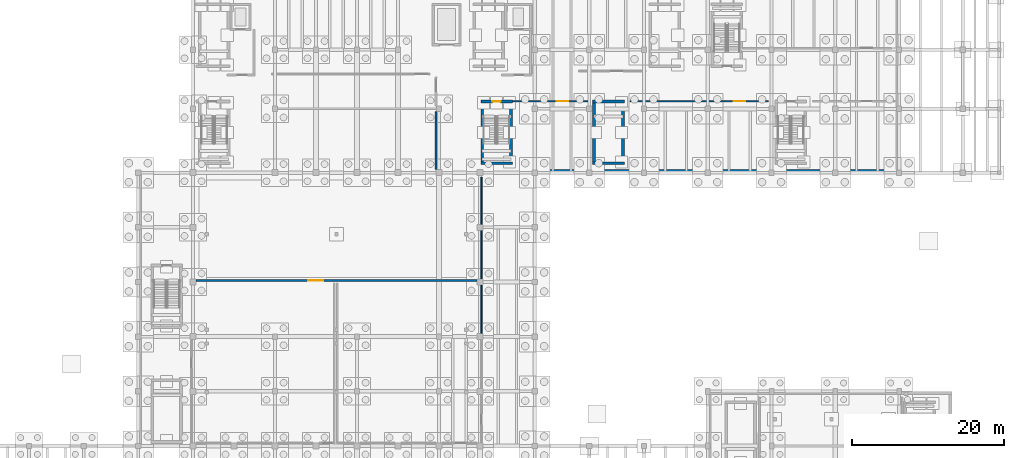
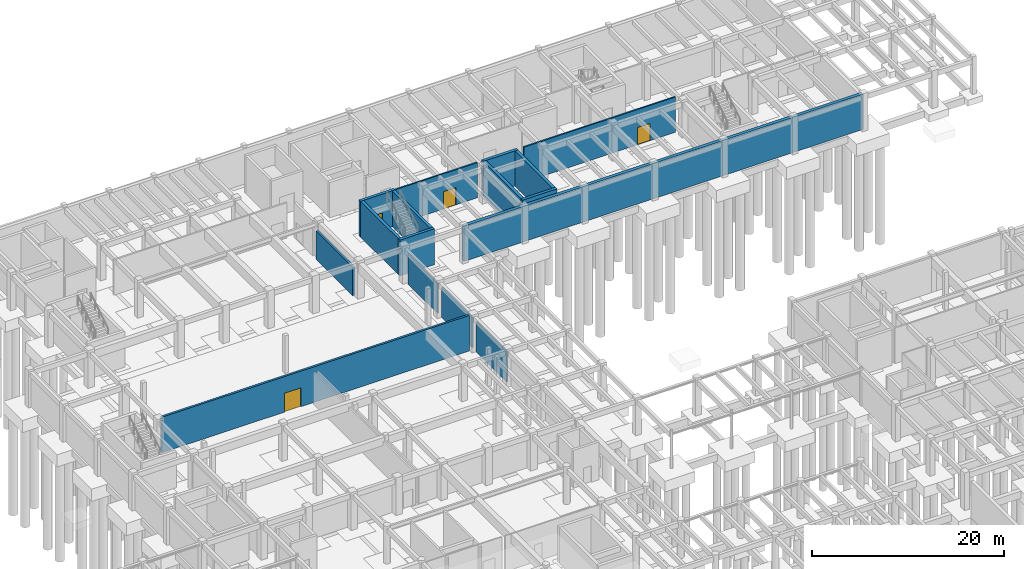
# One storey, part 29 of 46: 16 walls, 4 doors, 4 openings.
"""IFC4 building model written with IfcOpenShell, lengths in metres."""

from ifc_helpers import new_model, si_unit, direction, frame, frame_2d, origin, place, context, subcontext, project, spatial, rectangle, extrude, material, layer, layer_set, type_object, element, fill, save


model = new_model("IFC4")

# Units and contexts
model_context = context("Model", 3, precision=1e-05, world=origin(), true_north=direction((0.0, 1.0)))
body_context = subcontext(model_context, "Body", "Model", "MODEL_VIEW")
ifc_project = project(units=[si_unit("LENGTHUNIT", "METRE"), si_unit("AREAUNIT", "SQUARE_METRE"), si_unit("VOLUMEUNIT", "CUBIC_METRE"), si_unit("PLANEANGLEUNIT", "RADIAN"), si_unit("MASSUNIT", "GRAM", prefix="KILO")], contexts=[model_context])

# Site, building, storey
site_placement = place(None, origin())
site = spatial("IfcSite", under=ifc_project, at=site_placement, CompositionType="ELEMENT")
building_placement = place(site_placement, origin())
building = spatial("IfcBuilding", under=site, at=building_placement, Name="Tazoul Stagehouse", CompositionType="ELEMENT")
storey_placement = place(building_placement, frame((0.0, 0.0, -4.800048828125)))
storey = spatial("IfcBuildingStorey", under=building, at=storey_placement, Name="B1", CompositionType="ELEMENT", Elevation=-4.800048828125)

# Wall, opening, door
ifc_material_1 = material(Name="Gypsum Acoustic Partition", Category="gypsum")
ifc_layer_1 = layer(ifc_material_1, 0.25, Name="Gypsum Acoustic Partition")
ifc_layer_set_1 = layer_set([ifc_layer_1], Name="Gypsum Acoustic Partition")
wall_type_1 = type_object("IfcWallType", Name="Acoustic Hall Double-Stud Partition 250", PredefinedType="PARTITIONING", material=ifc_layer_set_1)
wall_1_placement = place(storey_placement, frame((94.97998046875, 73.60009765625, 0.0), z_axis=(0.0, 0.0, 1.0), x_axis=(-1.0, 0.0, 0.0)))
wall_1 = element("IfcWall", 1, at=wall_1_placement, inside=storey, type_object=wall_type_1, Name="B1 Partition PW-250 (PW-RM-B1-001-S)", PredefinedType="PARTITIONING", context=body_context, shape_type="SweptSolid", body=[
    extrude(rectangle(XDim=36.9599609375, YDim=0.25, at=frame_2d((18.47998046875, 0.0))), origin(), (0.0, 0.0, 1.0), 4.52001953125),
])
opening_1_placement = place(wall_1_placement, frame((20.239990234375, 0.0, 0.0)))
opening_1 = element("IfcOpeningElement", 2, at=opening_1_placement, cuts=wall_1, Name="Opening ID-19", PredefinedType="OPENING", context=body_context, shape_type="SweptSolid", body=[
    extrude(rectangle(XDim=1.949951171875, YDim=2.39990234375, at=frame_2d((0.97509765625, 1.199951171875))), frame((0.0, 0.14501953125, 0.0), z_axis=(0.0, -1.0, 0.0), x_axis=(1.0, 0.0, 0.0)), (0.0, 0.0, 1.0), 0.2900390625),
])
ifc_material_2 = material(Name="Acoustic Cedar Timber", Category="wood")
door_type_1 = type_object("IfcDoorType", Name="Orchestra Rehearsal Double Door 1950x2400", OperationType="DOUBLE_DOOR_SINGLE_SWING", PredefinedType="DOOR", material=ifc_material_2)
door_1_placement = place(opening_1_placement, origin())
door_1 = element("IfcDoor", 3, at=door_1_placement, inside=storey, type_object=door_type_1, Name="B1 Orchestra Pit and Musicians Plenum Door", OperationType="DOUBLE_DOOR_SINGLE_SWING", OverallHeight=2.39990234375, OverallWidth=1.949951171875, PredefinedType="DOOR", context=body_context, shape_type="SweptSolid", body=[
    extrude(rectangle(XDim=1.949951171875, YDim=2.39990234375, at=frame_2d((0.97509765625, 1.199951171875))), frame((0.0, 0.02490234375, 0.0), z_axis=(0.0, -1.0, 0.0), x_axis=(1.0, 0.0, 0.0)), (0.0, 0.0, 1.0), 0.050048828125),
])
fill(opening_1, door_1)

# Walls
wall_2_placement = place(storey_placement, frame((89.60009765625, 95.830078125, 0.0), z_axis=(0.0, 0.0, 1.0), x_axis=(0.0, -1.0, 0.0)))
element("IfcWall", 4, at=wall_2_placement, inside=storey, type_object=wall_type_1, Name="B1 Partition PW-250 (PW-RM-B1-004-E-S2)", PredefinedType="PARTITIONING", context=body_context, shape_type="SweptSolid", body=[
    extrude(rectangle(XDim=7.610107421875, YDim=0.25, at=frame_2d((3.80517578125, 0.0))), origin(), (0.0, 0.0, 1.0), 3.60009765625),
])
ifc_material_3 = material(Name="Concrete C35/45", Category="concrete")
ifc_layer_2 = layer(ifc_material_3, 0.39990234375, Name="Concrete C35/45")
ifc_layer_set_2 = layer_set([ifc_layer_2], Name="Concrete C35/45")
wall_type_2 = type_object("IfcWallType", Name="Basement Waterproofed Retaining Wall 400", PredefinedType="SOLIDWALL", material=ifc_layer_set_2)
wall_3_placement = place(storey_placement, frame((102.60009765625, 88.0, 0.0), z_axis=(0.0, 0.0, 1.0), x_axis=(1.0, 0.0, 0.0)))
element("IfcWall", 5, at=wall_3_placement, inside=storey, type_object=wall_type_2, Name="B1 Wall RW-400 (RW-B1-V3-S-S1)", PredefinedType="SOLIDWALL", context=body_context, shape_type="SweptSolid", body=[
    extrude(rectangle(XDim=48.0, YDim=0.39990234375, at=frame_2d((24.0, 0.0))), origin(), (0.0, 0.0, 1.0), 4.47998046875),
])
ifc_material_4 = material(Name="Concrete C40/50", Category="concrete")
ifc_layer_3 = layer(ifc_material_4, 0.35009765625, Name="Concrete C40/50")
ifc_layer_set_3 = layer_set([ifc_layer_3], Name="Concrete C40/50")
wall_type_3 = type_object("IfcWallType", Name="Core Shear Wall 350", PredefinedType="SOLIDWALL", material=ifc_layer_set_3)
wall_4_placement = place(storey_placement, frame((99.64990234375, 89.02490234375, 0.0), z_axis=(0.0, 0.0, 1.0), x_axis=(-1.0, 0.0, 0.0)))
element("IfcWall", 6, at=wall_4_placement, inside=storey, type_object=wall_type_3, Name="B1 Core Wall CW-350 (SHF-ST-B1-south)", PredefinedType="SOLIDWALL", context=body_context, shape_type="SweptSolid", body=[
    extrude(rectangle(XDim=4.14990234375, YDim=0.35009765625, at=frame_2d((2.074951171875, 0.0))), origin(), (0.0, 0.0, 1.0), 4.56005859375),
])
wall_5_placement = place(storey_placement, frame((95.675048828125, 89.199951171875, 0.0), z_axis=(0.0, 0.0, 1.0), x_axis=(0.0, 1.0, 0.0)))
element("IfcWall", 7, at=wall_5_placement, inside=storey, type_object=wall_type_3, Name="B1 Core Wall CW-350 (SHF-ST-B1-west)", PredefinedType="SOLIDWALL", context=body_context, shape_type="SweptSolid", body=[
    extrude(rectangle(XDim=7.800048828125, YDim=0.35009765625, at=frame_2d((3.89990234375, 0.0))), origin(), (0.0, 0.0, 1.0), 4.56005859375),
])

# Wall, opening, door
wall_6_placement = place(storey_placement, frame((95.5, 97.175048828125, 0.0), z_axis=(0.0, 0.0, 1.0), x_axis=(1.0, 0.0, 0.0)))
wall_6 = element("IfcWall", 8, at=wall_6_placement, inside=storey, type_object=wall_type_3, Name="B1 Core Wall CW-350 (SHF-ST-B1-north)", PredefinedType="SOLIDWALL", context=body_context, shape_type="SweptSolid", body=[
    extrude(rectangle(XDim=4.14990234375, YDim=0.35009765625, at=frame_2d((2.074951171875, 0.0))), origin(), (0.0, 0.0, 1.0), 4.56005859375),
])
opening_2_placement = place(wall_6_placement, frame((1.52490234375, 0.0, 0.0)))
opening_2 = element("IfcOpeningElement", 9, at=opening_2_placement, cuts=wall_6, Name="Opening FD-01", PredefinedType="OPENING", context=body_context, shape_type="SweptSolid", body=[
    extrude(rectangle(XDim=1.10009765625, YDim=2.14990234375, at=frame_2d((0.550048828125, 1.074951171875))), frame((0.0, 0.195068359375, 0.0), z_axis=(0.0, -1.0, 0.0), x_axis=(1.0, 0.0, 0.0)), (0.0, 0.0, 1.0), 0.39013671875),
])
ifc_material_5 = material(Name="Powder-Coated Galvanised Acoustic Steel", Category="steel")
door_type_2 = type_object("IfcDoorType", Name="Core Escape Stair Fire Door 1100x2150", OperationType="NOTDEFINED", PredefinedType="DOOR", material=ifc_material_5)
door_2_placement = place(opening_2_placement, origin())
door_2 = element("IfcDoor", 10, at=door_2_placement, inside=storey, type_object=door_type_2, Name="B1 Basement Stair Fire Door FD-01 (ST-B1)", OperationType="SINGLE_SWING_RIGHT", OverallHeight=2.14990234375, OverallWidth=1.10009765625, PredefinedType="DOOR", context=body_context, shape_type="SweptSolid", body=[
    extrude(rectangle(XDim=1.10009765625, YDim=2.14990234375, at=frame_2d((0.550048828125, 1.074951171875))), frame((0.0, 0.02490234375, 0.0), z_axis=(0.0, -1.0, 0.0), x_axis=(1.0, 0.0, 0.0)), (0.0, 0.0, 1.0), 0.050048828125),
])
fill(opening_2, door_2)

# Walls
wall_7_placement = place(storey_placement, frame((99.47509765625, 97.0, 0.0), z_axis=(0.0, 0.0, 1.0), x_axis=(0.0, -1.0, 0.0)))
element("IfcWall", 11, at=wall_7_placement, inside=storey, type_object=wall_type_3, Name="B1 Core Wall CW-350 (SHF-ST-B1-east)", PredefinedType="SOLIDWALL", context=body_context, shape_type="SweptSolid", body=[
    extrude(rectangle(XDim=7.800048828125, YDim=0.35009765625, at=frame_2d((3.89990234375, 0.0))), origin(), (0.0, 0.0, 1.0), 4.56005859375),
])
wall_8_placement = place(storey_placement, frame((114.39990234375, 89.02490234375, 0.0), z_axis=(0.0, 0.0, 1.0), x_axis=(-1.0, 0.0, 0.0)))
element("IfcWall", 12, at=wall_8_placement, inside=storey, type_object=wall_type_3, Name="B1 Core Wall CW-350 (SHF-ST-04-south)", PredefinedType="SOLIDWALL", context=body_context, shape_type="SweptSolid", body=[
    extrude(rectangle(XDim=4.14990234375, YDim=0.35009765625, at=frame_2d((2.074951171875, 0.0))), origin(), (0.0, 0.0, 1.0), 4.47998046875),
])
wall_9_placement = place(storey_placement, frame((110.425048828125, 89.199951171875, 0.0), z_axis=(0.0, 0.0, 1.0), x_axis=(0.0, 1.0, 0.0)))
element("IfcWall", 13, at=wall_9_placement, inside=storey, type_object=wall_type_3, Name="B1 Core Wall CW-350 (SHF-ST-04-west)", PredefinedType="SOLIDWALL", context=body_context, shape_type="SweptSolid", body=[
    extrude(rectangle(XDim=7.800048828125, YDim=0.35009765625, at=frame_2d((3.89990234375, 0.0))), origin(), (0.0, 0.0, 1.0), 4.47998046875),
])
wall_10_placement = place(storey_placement, frame((110.25, 97.175048828125, 0.0), z_axis=(0.0, 0.0, 1.0), x_axis=(1.0, 0.0, 0.0)))
element("IfcWall", 14, at=wall_10_placement, inside=storey, type_object=wall_type_3, Name="B1 Core Wall CW-350 (SHF-ST-04-north)", PredefinedType="SOLIDWALL", context=body_context, shape_type="SweptSolid", body=[
    extrude(rectangle(XDim=4.14990234375, YDim=0.35009765625, at=frame_2d((2.074951171875, 0.0))), origin(), (0.0, 0.0, 1.0), 4.47998046875),
])
wall_11_placement = place(storey_placement, frame((114.22509765625, 97.0, 0.0), z_axis=(0.0, 0.0, 1.0), x_axis=(0.0, -1.0, 0.0)))
element("IfcWall", 15, at=wall_11_placement, inside=storey, type_object=wall_type_3, Name="B1 Core Wall CW-350 (SHF-ST-04-east)", PredefinedType="SOLIDWALL", context=body_context, shape_type="SweptSolid", body=[
    extrude(rectangle(XDim=7.800048828125, YDim=0.35009765625, at=frame_2d((3.89990234375, 0.0))), origin(), (0.0, 0.0, 1.0), 4.47998046875),
])

# Wall, opening, door
ifc_layer_4 = layer(ifc_material_1, 0.169921875, Name="Gypsum Acoustic Partition")
ifc_layer_set_4 = layer_set([ifc_layer_4], Name="Gypsum Acoustic Partition")
wall_type_4 = type_object("IfcWallType", Name="Corridor Fire-Rated Partition 170", PredefinedType="PARTITIONING", material=ifc_layer_set_4)
wall_12_placement = place(storey_placement, frame((99.68994140625, 97.199951171875, 0.0), z_axis=(0.0, 0.0, 1.0), x_axis=(1.0, 0.0, 0.0)))
wall_12 = element("IfcWall", 16, at=wall_12_placement, inside=storey, type_object=wall_type_4, Name="B1 Partition PW-170 (PW-RM-B1-005-N)", PredefinedType="PARTITIONING", context=body_context, shape_type="SweptSolid", body=[
    extrude(rectangle(XDim=9.91015625, YDim=0.169921875, at=frame_2d((4.955078125, 0.0))), origin(), (0.0, 0.0, 1.0), 4.47998046875),
])
opening_3_placement = place(wall_12_placement, frame((5.821533203125, 0.0, 0.0)))
opening_3 = element("IfcOpeningElement", 17, at=opening_3_placement, cuts=wall_12, Name="Opening ID-13", PredefinedType="OPENING", context=body_context, shape_type="SweptSolid", body=[
    extrude(rectangle(XDim=1.5, YDim=2.199951171875, at=frame_2d((0.75, 1.10009765625))), frame((0.0, 0.10498046875, 0.0), z_axis=(0.0, -1.0, 0.0), x_axis=(1.0, 0.0, 0.0)), (0.0, 0.0, 1.0), 0.2099609375),
])
door_type_3 = type_object("IfcDoorType", Name="Plantroom Double Access Door 1500x2200", OperationType="DOUBLE_DOOR_SINGLE_SWING", PredefinedType="DOOR", material=ifc_material_2)
door_3_placement = place(opening_3_placement, origin())
door_3 = element("IfcDoor", 18, at=door_3_placement, inside=storey, type_object=door_type_3, Name="B1 Stage Dimmer and Transformer Room Door", OperationType="DOUBLE_DOOR_SINGLE_SWING", OverallHeight=2.199951171875, OverallWidth=1.5, PredefinedType="DOOR", context=body_context, shape_type="SweptSolid", body=[
    extrude(rectangle(XDim=1.5, YDim=2.199951171875, at=frame_2d((0.75, 1.10009765625))), frame((0.0, 0.02490234375, 0.0), z_axis=(0.0, -1.0, 0.0), x_axis=(1.0, 0.0, 0.0)), (0.0, 0.0, 1.0), 0.050048828125),
])
fill(opening_3, door_3)

wall_13_placement = place(storey_placement, frame((115.199951171875, 97.199951171875, 0.0), z_axis=(0.0, 0.0, 1.0), x_axis=(1.0, 0.0, 0.0)))
wall_13 = element("IfcWall", 19, at=wall_13_placement, inside=storey, type_object=wall_type_4, Name="B1 Partition PW-170 (PW-RM-B1-006-N)", PredefinedType="PARTITIONING", context=body_context, shape_type="SweptSolid", body=[
    extrude(rectangle(XDim=18.199951171875, YDim=0.169921875, at=frame_2d((9.10009765625, 0.0))), origin(), (0.0, 0.0, 1.0), 4.47998046875),
])
opening_4_placement = place(wall_13_placement, frame((13.642333984375, 0.0, 0.0)))
opening_4 = element("IfcOpeningElement", 20, at=opening_4_placement, cuts=wall_13, Name="Opening ID-13", PredefinedType="OPENING", context=body_context, shape_type="SweptSolid", body=[
    extrude(rectangle(XDim=1.5, YDim=2.199951171875, at=frame_2d((0.75, 1.10009765625))), frame((0.0, 0.10498046875, 0.0), z_axis=(0.0, -1.0, 0.0), x_axis=(1.0, 0.0, 0.0)), (0.0, 0.0, 1.0), 0.2099609375),
])
door_4_placement = place(opening_4_placement, origin())
door_4 = element("IfcDoor", 21, at=door_4_placement, inside=storey, type_object=door_type_3, Name="B1 Main HVAC Chiller and Acoustic AHU Plantroom Door", OperationType="DOUBLE_DOOR_SINGLE_SWING", OverallHeight=2.199951171875, OverallWidth=1.5, PredefinedType="DOOR", context=body_context, shape_type="SweptSolid", body=[
    extrude(rectangle(XDim=1.5, YDim=2.199951171875, at=frame_2d((0.75, 1.10009765625))), frame((0.0, 0.02490234375, 0.0), z_axis=(0.0, -1.0, 0.0), x_axis=(1.0, 0.0, 0.0)), (0.0, 0.0, 1.0), 0.050048828125),
])
fill(opening_4, door_4)

# Walls
for number, where, z_axis, x_axis, name in (
    (22, (95.60009765625, 66.6201171875, 0.0), (0.0, 0.0, 1.0), (0.0, 1.0, 0.0), "B1 Partition PW-170 (PW-RM-B1-102-W-S3)"),
    (23, (95.60009765625, 73.820068359375, 0.0), (0.0, 0.0, 1.0), (0.0, 1.0, 0.0), "B1 Partition PW-170 (PW-RM-B1-102-W-S4)"),
):
    element("IfcWall", number, at=place(storey_placement, frame(where, z_axis=z_axis, x_axis=x_axis)), inside=storey, type_object=wall_type_4, Name=name, PredefinedType="PARTITIONING", context=body_context, shape_type="SweptSolid", body=[
        extrude(rectangle(XDim=6.35986328125, YDim=0.169921875, at=frame_2d((3.179931640625, 0.0))), origin(), (0.0, 0.0, 1.0), 3.840087890625),
    ])
wall_14_placement = place(storey_placement, frame((95.60009765625, 81.02001953125, 0.0), z_axis=(0.0, 0.0, 1.0), x_axis=(0.0, 1.0, 0.0)))
element("IfcWall", 24, at=wall_14_placement, inside=storey, type_object=wall_type_4, Name="B1 Partition PW-170 (PW-RM-B1-102-W-S5)", PredefinedType="PARTITIONING", context=body_context, shape_type="SweptSolid", body=[
    extrude(rectangle(XDim=6.179931640625, YDim=0.169921875, at=frame_2d((3.08984375, 0.0))), origin(), (0.0, 0.0, 1.0), 3.800048828125),
])

save(model, "model.ifc")
